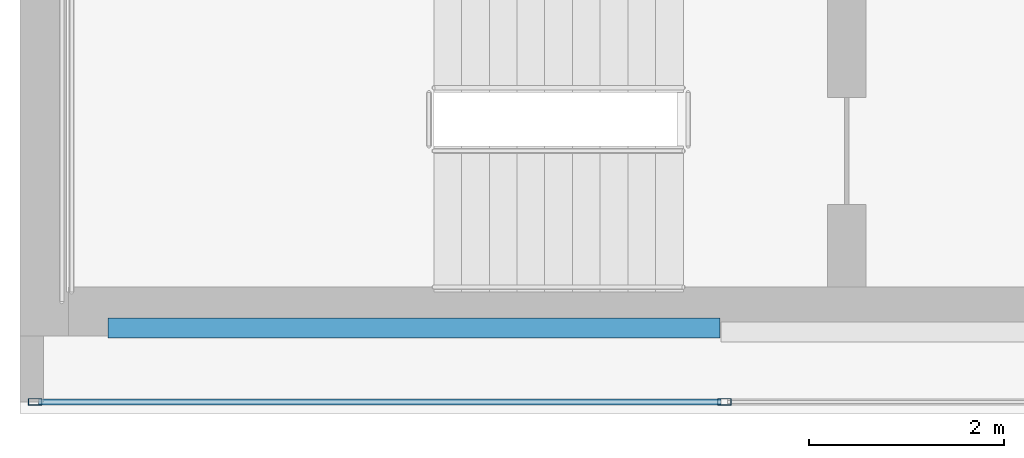
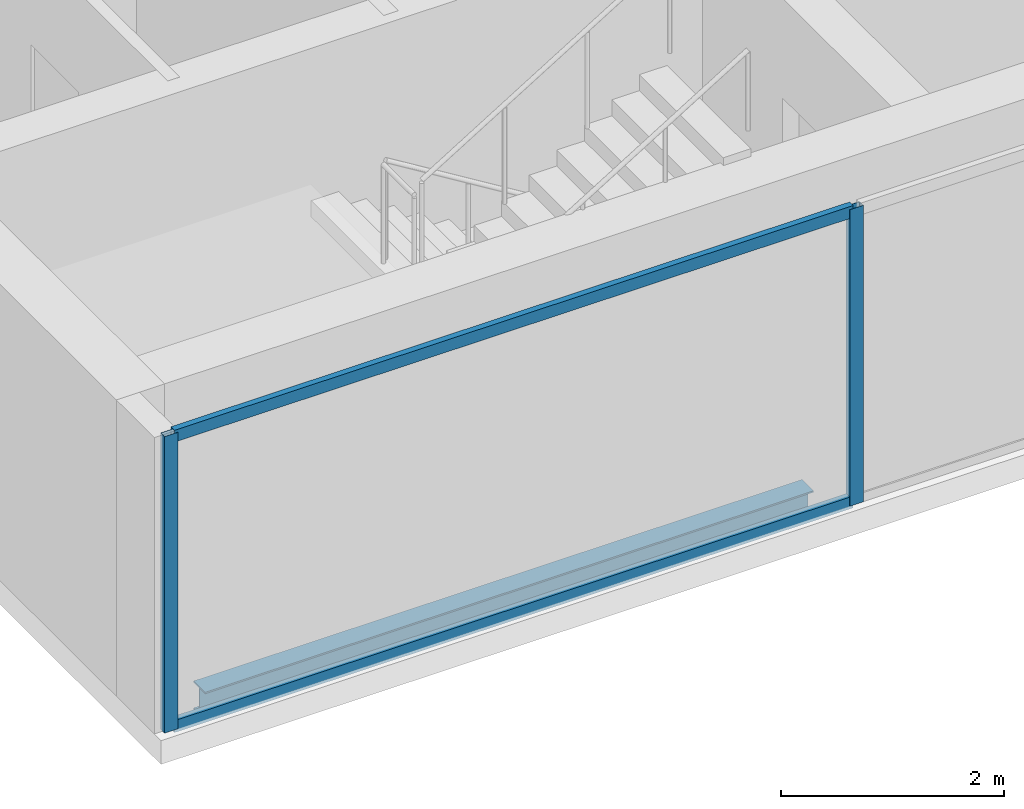
# One storey, part 2 of 23: 4 members, 1 beam, 1 element without a shape of its own.
"""IFC4 building model written with IfcOpenShell, lengths in metres."""

from ifc_helpers import new_model, si_unit, direction, frame, origin, origin_2d, place, context, subcontext, project, spatial, hollow_rectangle, i_section, extrude, material, material_profile, profile_set, type_object, element, aggregate, save


model = new_model("IFC4")

# Units and contexts
model_context = context("Model", 3, precision=1e-05, world=origin(), true_north=direction((0.0, 1.0)))
body_context = subcontext(model_context, "Body", "Model", "MODEL_VIEW")
ifc_project = project(units=[si_unit("LENGTHUNIT", "METRE"), si_unit("AREAUNIT", "SQUARE_METRE"), si_unit("VOLUMEUNIT", "CUBIC_METRE"), si_unit("PLANEANGLEUNIT", "RADIAN"), si_unit("MASSUNIT", "GRAM", prefix="KILO")], contexts=[model_context])

# Site, building, storey
site_placement = place(None, origin())
site = spatial("IfcSite", under=ifc_project, at=site_placement, CompositionType="ELEMENT")
building_placement = place(site_placement, origin())
building = spatial("IfcBuilding", under=site, at=building_placement, Name="Cobrela Telecom Tower", CompositionType="ELEMENT")
storey_placement = place(building_placement, frame((0.0, 0.0, 276.14990234375)))
storey = spatial("IfcBuildingStorey", under=building, at=storey_placement, Name="L72", CompositionType="ELEMENT", Elevation=276.14990234375)

# Beam
ifc_material_1 = material(Name="Steel ASTM A992 Grade 50", Category="steel")
ifc_material_profile_1 = material_profile(ifc_material_1, i_section(OverallWidth=0.205078125, OverallDepth=0.31005859375, WebThickness=0.009521484375, FlangeThickness=0.016357421875, FilletRadius=0.010986328125, at=origin_2d()), Name="W12X50")
ifc_profile_set_1 = profile_set([ifc_material_profile_1], Name="Steel ASTM A992 Grade 50")
beam_type = type_object("IfcBeamType", Name="BM-SPAND-07", PredefinedType="SPANDREL", material=ifc_profile_set_1)
beam_placement = place(storey_placement, frame((0.905029296875, 7.280029296875, -0.414794921875), z_axis=(1.0, 0.0, 0.0), x_axis=(0.0, 1.0, 0.0)))
element("IfcBeam", 1, at=beam_placement, inside=storey, type_object=beam_type, Name="L72 Perimeter Spandrel X01", PredefinedType="SPANDREL", context=body_context, shape_type="SweptSolid", body=[
    extrude(i_section(OverallWidth=0.205078125, OverallDepth=0.31005859375, WebThickness=0.009521484375, FlangeThickness=0.016357421875, FilletRadius=0.010986328125, at=origin_2d()), origin(), (0.0, 0.0, 1.0), 6.2900390625),
])

# Curtain wall, members
ifc_material_2 = material(Name="Anodized Bronze Aluminium 6063-T6", Category="aluminium")
curtain_wall_type = type_object("IfcCurtainWallType", Name="CW-SYS-OFF-HI", PredefinedType="USERDEFINED", material=ifc_material_2)
curtain_wall_placement = place(storey_placement, origin())
curtain_wall = element("IfcCurtainWall", 2, at=curtain_wall_placement, inside=storey, type_object=curtain_wall_type, Name="L72 Unitised Bronze Curtain Wall 15", ObjectType="UNITISED CURTAIN WALL", PredefinedType="USERDEFINED")
ifc_material_profile_2 = material_profile(ifc_material_2, hollow_rectangle(XDim=0.070068359375, YDim=0.139892578125, WallThickness=0.00390625, at=origin_2d()), Name="ALU 70x140x4")
ifc_profile_set_2 = profile_set([ifc_material_profile_2], Name="Anodized Bronze Aluminium 6063-T6")
member_type_1 = type_object("IfcMemberType", Name="CW-SYS-OFF-HI-MUL", PredefinedType="MULLION", material=ifc_profile_set_2)
member_1_placement = place(storey_placement, frame((7.24169921875, 6.52001953125, 0.0), z_axis=(0.0, 0.0, 1.0), x_axis=(0.0, -1.0, 0.0)))
member_1 = element("IfcMember", 3, at=member_1_placement, type_object=member_type_1, Name="CW-OFF-HI mullion 6", PredefinedType="MULLION", context=body_context, shape_type="SweptSolid", body=[
    extrude(hollow_rectangle(XDim=0.070068359375, YDim=0.139892578125, WallThickness=0.00390625, at=origin_2d()), origin(), (0.0, 0.0, 1.0), 3.239990234375),
])
member_2_placement = place(storey_placement, frame((0.155029296875, 6.52001953125, 0.0), z_axis=(0.0, 0.0, 1.0), x_axis=(0.0, -1.0, 0.0)))
member_2 = element("IfcMember", 4, at=member_2_placement, type_object=member_type_1, Name="CW-OFF-HI mullion 7", PredefinedType="MULLION", context=body_context, shape_type="SweptSolid", body=[
    extrude(hollow_rectangle(XDim=0.070068359375, YDim=0.139892578125, WallThickness=0.00390625, at=origin_2d()), origin(), (0.0, 0.0, 1.0), 3.239990234375),
])
ifc_material_profile_3 = material_profile(ifc_material_2, hollow_rectangle(XDim=0.06494140625, YDim=0.1298828125, WallThickness=0.00390625, at=origin_2d()), Name="ALU 65x130x4")
ifc_profile_set_3 = profile_set([ifc_material_profile_3], Name="Anodized Bronze Aluminium 6063-T6")
member_type_2 = type_object("IfcMemberType", Name="CW-SYS-OFF-HI-TRN", PredefinedType="USERDEFINED", material=ifc_profile_set_3)
member_3_placement = place(storey_placement, frame((7.206787109375, 6.52001953125, 0.03271484375), z_axis=(-1.0, 0.0, 0.0), x_axis=(0.0, -1.0, 0.0)))
member_3 = element("IfcMember", 5, at=member_3_placement, type_object=member_type_2, Name="CW-OFF-HI transom 6.1", ObjectType="TRANSOM", PredefinedType="USERDEFINED", context=body_context, shape_type="SweptSolid", body=[
    extrude(hollow_rectangle(XDim=0.06494140625, YDim=0.1298828125, WallThickness=0.00390625, at=origin_2d()), origin(), (0.0, 0.0, 1.0), 7.016845703125),
])
member_4_placement = place(storey_placement, frame((7.206787109375, 6.52001953125, 3.20751953125), z_axis=(-1.0, 0.0, 0.0), x_axis=(0.0, -1.0, 0.0)))
member_4 = element("IfcMember", 6, at=member_4_placement, type_object=member_type_2, Name="CW-OFF-HI transom 6.2", ObjectType="TRANSOM", PredefinedType="USERDEFINED", context=body_context, shape_type="SweptSolid", body=[
    extrude(hollow_rectangle(XDim=0.06494140625, YDim=0.1298828125, WallThickness=0.00390625, at=origin_2d()), origin(), (0.0, 0.0, 1.0), 7.016845703125),
])
aggregate(curtain_wall, [member_1, member_2, member_3, member_4])

save(model, "model.ifc")
